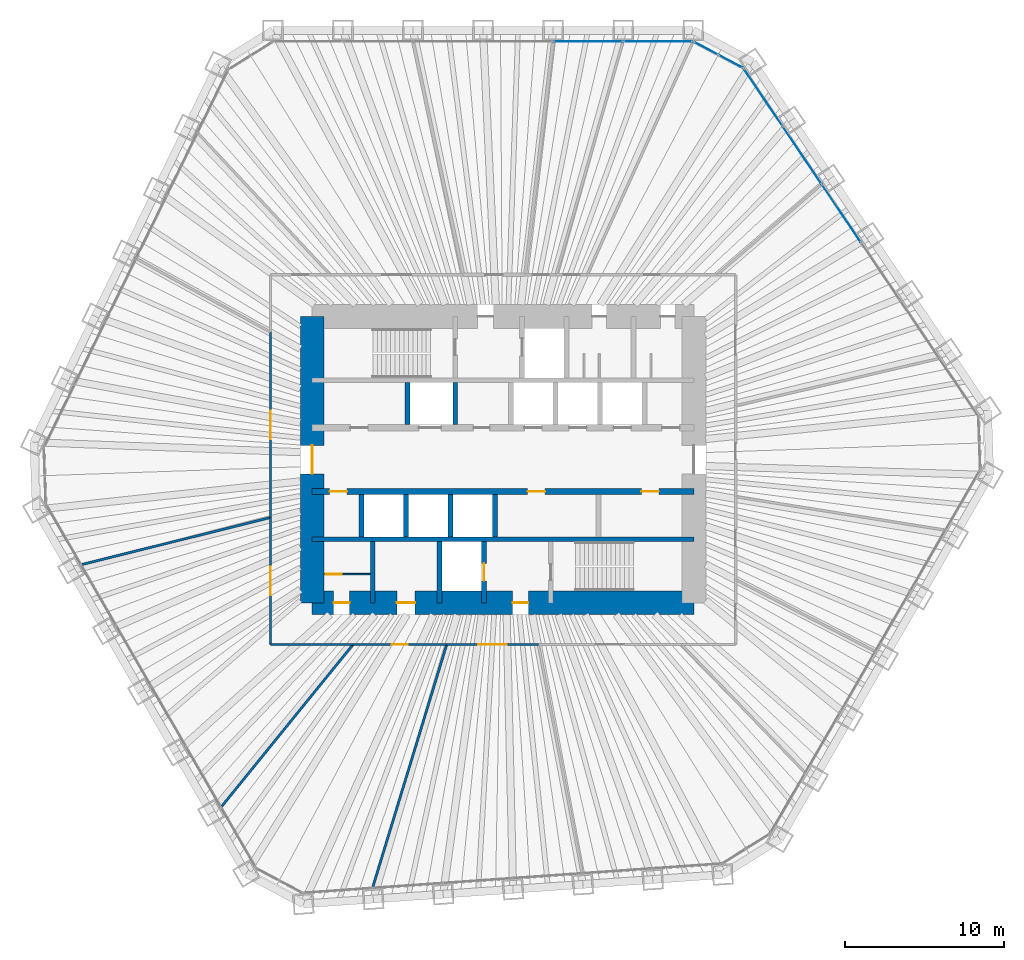
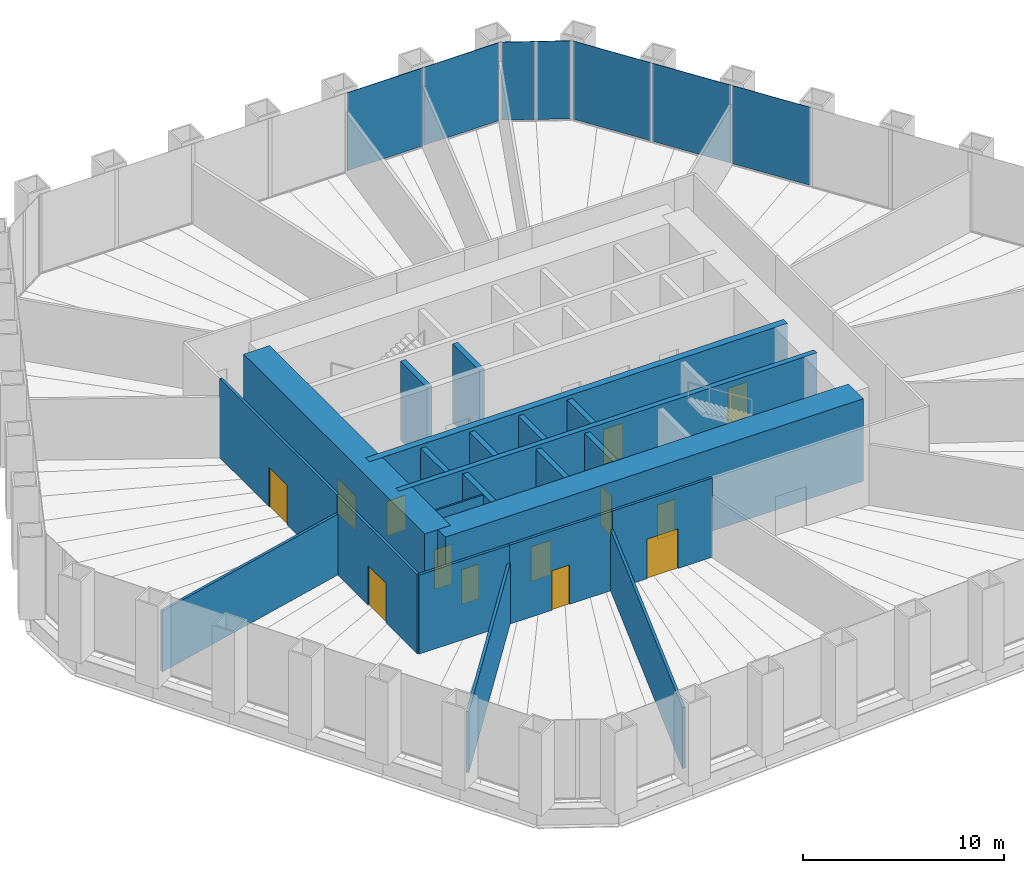
# One storey, part 10 of 13: 22 walls, 13 doors, 7 plates, 13 openings, 3 elements without a shape of their own.
"""IFC4 building model written with IfcOpenShell, lengths in metres."""

from ifc_helpers import new_model, si_unit, direction, frame, frame_2d, origin, origin_2d, place, context, subcontext, project, spatial, rectangle, extrude, material, layer, layer_set, type_object, element, fill, aggregate, save


model = new_model("IFC4")

# Units and contexts
model_context = context("Model", 3, precision=1e-05, world=origin(), true_north=direction((0.0, 1.0)))
body_context = subcontext(model_context, "Body", "Model", "MODEL_VIEW")
ifc_project = project(units=[si_unit("LENGTHUNIT", "METRE"), si_unit("AREAUNIT", "SQUARE_METRE"), si_unit("VOLUMEUNIT", "CUBIC_METRE"), si_unit("PLANEANGLEUNIT", "RADIAN"), si_unit("MASSUNIT", "GRAM", prefix="KILO")], contexts=[model_context])

# Site, building, storey
site_placement = place(None, origin())
site = spatial("IfcSite", under=ifc_project, at=site_placement, CompositionType="ELEMENT")
building_placement = place(site_placement, origin())
building = spatial("IfcBuilding", under=site, at=building_placement, Name="Qingtian Harvest Tower", CompositionType="ELEMENT")
storey_placement = place(building_placement, frame((0.0, 0.0, 72.0)))
storey = spatial("IfcBuildingStorey", under=building, at=storey_placement, Name="L14", CompositionType="ELEMENT", Elevation=72.0)

# Curtain wall, plates
ifc_material_1 = material(Name="Bronze-anodised aluminium curtain wall", Category="aluminium")
curtain_wall_type = type_object("IfcCurtainWallType", Name="Curtain wall CW2 farm reception", PredefinedType="USERDEFINED", material=ifc_material_1)
curtain_wall_1_placement = place(storey_placement, origin())
curtain_wall_1 = element("IfcCurtainWall", 1, at=curtain_wall_1_placement, inside=storey, type_object=curtain_wall_type, Name="Curtain wall CW2 L14 N0-5", ObjectType="RECESSED CURTAIN WALL", PredefinedType="USERDEFINED")
ifc_material_2 = material(Name="Bronze-tinted laminated insulating glass", Category="glass")
ifc_layer_1 = layer(ifc_material_2, 0.030029296875)
ifc_layer_set_1 = layer_set([ifc_layer_1], Name="Glazed panel CWP tinted IGU")
plate_type = type_object("IfcPlateType", Name="Glazed panel CWP tinted IGU", PredefinedType="CURTAIN_PANEL", material=ifc_layer_set_1)
plate_1_placement = place(storey_placement, frame((5.349365234375, 26.300048828125, 0.06494140625), z_axis=(0.0, 0.0, 1.0), x_axis=(1.0, 0.0, 0.0)))
plate_1 = element("IfcPlate", 2, at=plate_1_placement, type_object=plate_type, Name="CW2 panel 5.1", PredefinedType="CURTAIN_PANEL", context=body_context, shape_type="SweptSolid", body=[
    extrude(rectangle(XDim=4.339599609375, YDim=0.030029296875, at=origin_2d()), origin(), (0.0, 0.0, 1.0), 4.735107421875),
])
plate_2_placement = place(storey_placement, frame((9.737548828125, 26.300048828125, 0.06494140625), z_axis=(0.0, 0.0, 1.0), x_axis=(1.0, 0.0, 0.0)))
plate_2 = element("IfcPlate", 3, at=plate_2_placement, type_object=plate_type, Name="CW2 panel 6.1", PredefinedType="CURTAIN_PANEL", context=body_context, shape_type="SweptSolid", body=[
    extrude(rectangle(XDim=4.30712890625, YDim=0.030029296875, at=origin_2d()), origin(), (0.0, 0.0, 1.0), 4.735107421875),
])
aggregate(curtain_wall_1, [plate_1, plate_2])

curtain_wall_2_placement = place(storey_placement, origin())
curtain_wall_2 = element("IfcCurtainWall", 4, at=curtain_wall_2_placement, inside=storey, type_object=curtain_wall_type, Name="Curtain wall CW2 L14 NC", ObjectType="RECESSED CURTAIN WALL", PredefinedType="USERDEFINED")
plate_3_placement = place(storey_placement, frame((12.760986328125, 25.8720703125, 0.06494140625), z_axis=(0.0, 0.0, 1.0), x_axis=(0.882947592859, -0.469471562786, 0.0)))
plate_3 = element("IfcPlate", 5, at=plate_3_placement, type_object=plate_type, Name="CW2 panel 1.1", PredefinedType="CURTAIN_PANEL", context=body_context, shape_type="SweptSolid", body=[
    extrude(rectangle(XDim=1.69287109375, YDim=0.030029296875, at=origin_2d()), origin(), (0.0, 0.0, 1.0), 4.735107421875),
])
plate_4_placement = place(storey_placement, frame((14.31298828125, 25.046875, 0.06494140625), z_axis=(0.0, 0.0, 1.0), x_axis=(0.882947592859, -0.469471562786, 0.0)))
plate_4 = element("IfcPlate", 6, at=plate_4_placement, type_object=plate_type, Name="CW2 panel 2.1", PredefinedType="CURTAIN_PANEL", context=body_context, shape_type="SweptSolid", body=[
    extrude(rectangle(XDim=1.69287109375, YDim=0.030029296875, at=origin_2d()), origin(), (0.0, 0.0, 1.0), 4.735107421875),
])
aggregate(curtain_wall_2, [plate_3, plate_4])

curtain_wall_3_placement = place(storey_placement, origin())
curtain_wall_3 = element("IfcCurtainWall", 7, at=curtain_wall_3_placement, inside=storey, type_object=curtain_wall_type, Name="Curtain wall CW2 L14 NE0-5", ObjectType="RECESSED CURTAIN WALL", PredefinedType="USERDEFINED")
plate_5_placement = place(storey_placement, frame((16.3583984375, 22.779541015625, 0.06494140625), z_axis=(0.0, 0.0, 1.0), x_axis=(0.559192903471, -0.829037572555, 0.0)))
plate_5 = element("IfcPlate", 8, at=plate_5_placement, type_object=plate_type, Name="CW2 panel 1.1", PredefinedType="CURTAIN_PANEL", context=body_context, shape_type="SweptSolid", body=[
    extrude(rectangle(XDim=4.30712890625, YDim=0.030029296875, at=origin_2d()), origin(), (0.0, 0.0, 1.0), 4.735107421875),
])
plate_6_placement = place(storey_placement, frame((18.8125, 19.1416015625, 0.06494140625), z_axis=(0.0, 0.0, 1.0), x_axis=(0.559192903471, -0.829037572555, 0.0)))
plate_6 = element("IfcPlate", 9, at=plate_6_placement, type_object=plate_type, Name="CW2 panel 2.1", PredefinedType="CURTAIN_PANEL", context=body_context, shape_type="SweptSolid", body=[
    extrude(rectangle(XDim=4.339599609375, YDim=0.030029296875, at=origin_2d()), origin(), (0.0, 0.0, 1.0), 4.735107421875),
])
plate_7_placement = place(storey_placement, frame((21.275390625, 15.489990234375, 0.06494140625), z_axis=(0.0, 0.0, 1.0), x_axis=(0.559192903471, -0.829037572555, 0.0)))
plate_7 = element("IfcPlate", 10, at=plate_7_placement, type_object=plate_type, Name="CW2 panel 3.1", PredefinedType="CURTAIN_PANEL", context=body_context, shape_type="SweptSolid", body=[
    extrude(rectangle(XDim=4.339599609375, YDim=0.030029296875, at=origin_2d()), origin(), (0.0, 0.0, 1.0), 4.735107421875),
])
aggregate(curtain_wall_3, [plate_5, plate_6, plate_7])

# Wall
ifc_material_3 = material(Name="Concrete fc' 70 MPa", Category="concrete")
ifc_layer_2 = layer(ifc_material_3, 0.300048828125)
ifc_layer_set_2 = layer_set([ifc_layer_2], Name="Core inner wall RC5 300")
wall_type_1 = type_object("IfcWallType", Name="Core inner wall RC5 300", PredefinedType="SHEAR", material=ifc_layer_set_2)
wall_1_placement = place(storey_placement, frame((-12.0, -5.0, 0.0), z_axis=(0.0, 0.0, 1.0), x_axis=(1.0, 0.0, 0.0)))
element("IfcWall", 11, at=wall_1_placement, inside=storey, type_object=wall_type_1, Name="Core wall IS5 L14", PredefinedType="SHEAR", context=body_context, shape_type="SweptSolid", body=[
    extrude(rectangle(XDim=24.0, YDim=0.300048828125, at=frame_2d((12.0, 0.0))), origin(), (0.0, 0.0, 1.0), 5.0),
])

# Wall, openings, doors
ifc_material_4 = material(Name="Concrete fc' 70 MPa", Category="concrete")
ifc_layer_3 = layer(ifc_material_4, 0.39990234375)
ifc_layer_set_3 = layer_set([ifc_layer_3], Name="Core inner web RC6 400")
wall_type_2 = type_object("IfcWallType", Name="Core inner web RC6 400", PredefinedType="SHEAR", material=ifc_layer_set_3)
wall_2_placement = place(storey_placement, frame((-12.0, -2.0, 0.0), z_axis=(0.0, 0.0, 1.0), x_axis=(1.0, 0.0, 0.0)))
wall_2 = element("IfcWall", 12, at=wall_2_placement, inside=storey, type_object=wall_type_2, Name="Core wall IS2 L14", PredefinedType="SHEAR", context=body_context, shape_type="SweptSolid", body=[
    extrude(rectangle(XDim=24.0, YDim=0.39990234375, at=frame_2d((12.0, 0.0))), origin(), (0.0, 0.0, 1.0), 5.0),
])
opening_1_placement = place(wall_2_placement, frame((1.10009765625, 0.0, 0.0)))
opening_1 = element("IfcOpeningElement", 13, at=opening_1_placement, cuts=wall_2, Name="Opening FD4", PredefinedType="OPENING", context=body_context, shape_type="SweptSolid", body=[
    extrude(rectangle(XDim=1.10009765625, YDim=2.10009765625, at=frame_2d((0.550048828125, 1.050048828125))), frame((0.0, 0.2099609375, 0.0), z_axis=(0.0, -1.0, 0.0), x_axis=(1.0, 0.0, 0.0)), (0.0, 0.0, 1.0), 0.419921875),
])
opening_2_placement = place(wall_2_placement, frame((13.550048828125, 0.0, 0.0)))
opening_2 = element("IfcOpeningElement", 14, at=opening_2_placement, cuts=wall_2, Name="Opening FD4", PredefinedType="OPENING", context=body_context, shape_type="SweptSolid", body=[
    extrude(rectangle(XDim=1.10009765625, YDim=2.10009765625, at=frame_2d((0.550048828125, 1.050048828125))), frame((0.0, 0.2099609375, 0.0), z_axis=(0.0, -1.0, 0.0), x_axis=(1.0, 0.0, 0.0)), (0.0, 0.0, 1.0), 0.419921875),
])
opening_3_placement = place(wall_2_placement, frame((20.699951171875, 0.0, 0.0)))
opening_3 = element("IfcOpeningElement", 15, at=opening_3_placement, cuts=wall_2, Name="Opening FD4", PredefinedType="OPENING", context=body_context, shape_type="SweptSolid", body=[
    extrude(rectangle(XDim=1.10009765625, YDim=2.10009765625, at=frame_2d((0.550048828125, 1.050048828125))), frame((0.0, 0.2099609375, 0.0), z_axis=(0.0, -1.0, 0.0), x_axis=(1.0, 0.0, 0.0)), (0.0, 0.0, 1.0), 0.419921875),
])
ifc_material_5 = material(Name="Steel-faced door leaf", Category="steel")
door_type_1 = type_object("IfcDoorType", Name="Fire door FD4 single 2 HR", OperationType="SINGLE_SWING_LEFT", PredefinedType="DOOR", material=ifc_material_5)
door_1_placement = place(opening_1_placement, origin())
door_1 = element("IfcDoor", 16, at=door_1_placement, inside=storey, type_object=door_type_1, Name="RB door L14", OperationType="SINGLE_SWING_LEFT", OverallHeight=2.10009765625, OverallWidth=1.10009765625, PredefinedType="DOOR", context=body_context, shape_type="SweptSolid", body=[
    extrude(rectangle(XDim=1.10009765625, YDim=2.10009765625, at=frame_2d((0.550048828125, 1.050048828125))), frame((0.0, 0.02490234375, 0.0), z_axis=(0.0, -1.0, 0.0), x_axis=(1.0, 0.0, 0.0)), (0.0, 0.0, 1.0), 0.050048828125),
])
fill(opening_1, door_1)
door_2_placement = place(opening_2_placement, origin())
door_2 = element("IfcDoor", 17, at=door_2_placement, inside=storey, type_object=door_type_1, Name="ELEC door L14", OperationType="SINGLE_SWING_LEFT", OverallHeight=2.10009765625, OverallWidth=1.10009765625, PredefinedType="DOOR", context=body_context, shape_type="SweptSolid", body=[
    extrude(rectangle(XDim=1.10009765625, YDim=2.10009765625, at=frame_2d((0.550048828125, 1.050048828125))), frame((0.0, 0.02490234375, 0.0), z_axis=(0.0, -1.0, 0.0), x_axis=(1.0, 0.0, 0.0)), (0.0, 0.0, 1.0), 0.050048828125),
])
fill(opening_2, door_2)
door_3_placement = place(opening_3_placement, origin())
door_3 = element("IfcDoor", 18, at=door_3_placement, inside=storey, type_object=door_type_1, Name="DUCT door L14", OperationType="SINGLE_SWING_RIGHT", OverallHeight=2.10009765625, OverallWidth=1.10009765625, PredefinedType="DOOR", context=body_context, shape_type="SweptSolid", body=[
    extrude(rectangle(XDim=1.10009765625, YDim=2.10009765625, at=frame_2d((0.550048828125, 1.050048828125))), frame((0.0, 0.02490234375, 0.0), z_axis=(0.0, -1.0, 0.0), x_axis=(1.0, 0.0, 0.0)), (0.0, 0.0, 1.0), 0.050048828125),
])
fill(opening_3, door_3)

# Walls
ifc_material_6 = material(Name="Precast concrete shaft panel", Category="concrete")
ifc_layer_4 = layer(ifc_material_6, 0.300048828125)
ifc_layer_set_4 = layer_set([ifc_layer_4], Name="Core shaft partition SW1 300")
wall_type_3 = type_object("IfcWallType", Name="Core shaft partition SW1 300", PredefinedType="PARTITIONING", material=ifc_layer_set_4)
for number, where, z_axis, x_axis, name in (
    (19, (-6.0, 2.199951171875, 0.0), (0.0, 0.0, 1.0), (0.0, 1.0, 0.0), "Core shaft partition XA1 L14"),
    (20, (-3.0, 2.199951171875, 0.0), (0.0, 0.0, 1.0), (0.0, 1.0, 0.0), "Core shaft partition XA2 L14"),
    (21, (-8.89990234375, -4.85009765625, 0.0), (0.0, 0.0, 1.0), (0.0, 1.0, 0.0), "Core shaft partition XB1 L14"),
    (22, (-6.10009765625, -4.85009765625, 0.0), (0.0, 0.0, 1.0), (0.0, 1.0, 0.0), "Core shaft partition XB2 L14"),
    (23, (-3.300048828125, -4.85009765625, 0.0), (0.0, 0.0, 1.0), (0.0, 1.0, 0.0), "Core shaft partition XB3 L14"),
    (24, (-0.5, -4.85009765625, 0.0), (0.0, 0.0, 1.0), (0.0, 1.0, 0.0), "Core shaft partition XB4 L14"),
):
    element("IfcWall", number, at=place(storey_placement, frame(where, z_axis=z_axis, x_axis=x_axis)), inside=storey, type_object=wall_type_3, Name=name, PredefinedType="PARTITIONING", context=body_context, shape_type="SweptSolid", body=[
        extrude(rectangle(XDim=2.650146484375, YDim=0.300048828125, at=frame_2d((1.3251953125, 0.0))), origin(), (0.0, 0.0, 1.0), 4.780029296875),
    ])
for number, where, z_axis, x_axis, name in (
    (25, (-8.199951171875, -9.0, 0.0), (0.0, 0.0, 1.0), (0.0, 1.0, 0.0), "Core shaft partition XS1 L14"),
    (26, (-4.0, -9.0, 0.0), (0.0, 0.0, 1.0), (0.0, 1.0, 0.0), "Core shaft partition XS2 L14"),
):
    element("IfcWall", number, at=place(storey_placement, frame(where, z_axis=z_axis, x_axis=x_axis)), inside=storey, type_object=wall_type_3, Name=name, PredefinedType="PARTITIONING", context=body_context, shape_type="SweptSolid", body=[
        extrude(rectangle(XDim=3.85009765625, YDim=0.300048828125, at=frame_2d((1.925048828125, 0.0))), origin(), (0.0, 0.0, 1.0), 4.780029296875),
    ])

# Wall, opening, door
wall_3_placement = place(storey_placement, frame((-1.199951171875, -9.0, 0.0), z_axis=(0.0, 0.0, 1.0), x_axis=(0.0, 1.0, 0.0)))
wall_3 = element("IfcWall", 27, at=wall_3_placement, inside=storey, type_object=wall_type_3, Name="Core shaft partition XS3 L14", PredefinedType="PARTITIONING", context=body_context, shape_type="SweptSolid", body=[
    extrude(rectangle(XDim=3.85009765625, YDim=0.300048828125, at=frame_2d((1.925048828125, 0.0))), origin(), (0.0, 0.0, 1.0), 4.780029296875),
])
opening_4_placement = place(wall_3_placement, frame((1.375, 0.0, 0.0)))
opening_4 = element("IfcOpeningElement", 28, at=opening_4_placement, cuts=wall_3, Name="Opening LD1", PredefinedType="OPENING", context=body_context, shape_type="SweptSolid", body=[
    extrude(rectangle(XDim=1.10009765625, YDim=2.39990234375, at=frame_2d((0.550048828125, 1.199951171875))), frame((0.0, 0.159912109375, 0.0), z_axis=(0.0, -1.0, 0.0), x_axis=(1.0, 0.0, 0.0)), (0.0, 0.0, 1.0), 0.320068359375),
])
ifc_material_7 = material(Name="Stainless steel lift landing door", Category="steel")
door_type_2 = type_object("IfcDoorType", Name="Lift landing door LD1 1 HR", OperationType="DOUBLE_DOOR_SLIDING", PredefinedType="DOOR", material=ifc_material_7)
door_4_placement = place(opening_4_placement, origin())
door_4 = element("IfcDoor", 29, at=door_4_placement, inside=storey, type_object=door_type_2, Name="FL2 landing door L14", OperationType="DOUBLE_DOOR_SLIDING", OverallHeight=2.39990234375, OverallWidth=1.10009765625, PredefinedType="DOOR", context=body_context, shape_type="SweptSolid", body=[
    extrude(rectangle(XDim=1.10009765625, YDim=2.39990234375, at=frame_2d((0.550048828125, 1.199951171875))), frame((0.0, 0.02490234375, 0.0), z_axis=(0.0, -1.0, 0.0), x_axis=(1.0, 0.0, 0.0)), (0.0, 0.0, 1.0), 0.050048828125),
])
fill(opening_4, door_4)

# Wall, openings, doors
ifc_material_8 = material(Name="Concrete fc' 70 MPa", Category="concrete")
ifc_layer_5 = layer(ifc_material_8, 1.5)
ifc_layer_set_5 = layer_set([ifc_layer_5], Name="Core wall RC1 1500")
wall_type_4 = type_object("IfcWallType", Name="Core wall RC1 1500", PredefinedType="SHEAR", material=ifc_layer_set_5)
wall_4_placement = place(storey_placement, frame((-12.0, -9.0, 0.0), z_axis=(0.0, 0.0, 1.0), x_axis=(1.0, 0.0, 0.0)))
wall_4 = element("IfcWall", 30, at=wall_4_placement, inside=storey, type_object=wall_type_4, Name="Core wall CS L14", PredefinedType="SHEAR", context=body_context, shape_type="SweptSolid", body=[
    extrude(rectangle(XDim=24.0, YDim=1.5, at=frame_2d((12.0, 0.0))), origin(), (0.0, 0.0, 1.0), 5.0),
])
opening_5_placement = place(wall_4_placement, frame((1.35009765625, 0.0, 0.0)))
opening_5 = element("IfcOpeningElement", 31, at=opening_5_placement, cuts=wall_4, Name="Opening FD1", PredefinedType="OPENING", context=body_context, shape_type="SweptSolid", body=[
    extrude(rectangle(XDim=1.0, YDim=2.10009765625, at=frame_2d((0.5, 1.050048828125))), frame((0.0, 0.760009765625, 0.0), z_axis=(0.0, -1.0, 0.0), x_axis=(1.0, 0.0, 0.0)), (0.0, 0.0, 1.0), 1.52001953125),
])
opening_6_placement = place(wall_4_placement, frame((5.324951171875, 0.0, 0.0)))
opening_6 = element("IfcOpeningElement", 32, at=opening_6_placement, cuts=wall_4, Name="Opening AD1", PredefinedType="OPENING", context=body_context, shape_type="SweptSolid", body=[
    extrude(rectangle(XDim=1.14990234375, YDim=2.10009765625, at=frame_2d((0.574951171875, 1.050048828125))), frame((0.0, 0.760009765625, 0.0), z_axis=(0.0, -1.0, 0.0), x_axis=(1.0, 0.0, 0.0)), (0.0, 0.0, 1.0), 1.52001953125),
])
opening_7_placement = place(wall_4_placement, frame((12.60009765625, 0.0, 0.0)))
opening_7 = element("IfcOpeningElement", 33, at=opening_7_placement, cuts=wall_4, Name="Opening FD1", PredefinedType="OPENING", context=body_context, shape_type="SweptSolid", body=[
    extrude(rectangle(XDim=1.0, YDim=2.10009765625, at=frame_2d((0.5, 1.050048828125))), frame((0.0, 0.760009765625, 0.0), z_axis=(0.0, -1.0, 0.0), x_axis=(1.0, 0.0, 0.0)), (0.0, 0.0, 1.0), 1.52001953125),
])
ifc_material_9 = material(Name="Laminated timber door leaf", Category="wood")
door_type_3 = type_object("IfcDoorType", Name="Accessible WC door AD1 single", OperationType="SINGLE_SWING_LEFT", PredefinedType="DOOR", material=ifc_material_9)
door_5_placement = place(opening_6_placement, origin())
door_5 = element("IfcDoor", 34, at=door_5_placement, inside=storey, type_object=door_type_3, Name="AWC door L14", OperationType="SINGLE_SWING_RIGHT", OverallHeight=2.10009765625, OverallWidth=1.14990234375, PredefinedType="DOOR", context=body_context, shape_type="SweptSolid", body=[
    extrude(rectangle(XDim=1.14990234375, YDim=2.10009765625, at=frame_2d((0.574951171875, 1.050048828125))), frame((0.0, 0.02490234375, 0.0), z_axis=(0.0, -1.0, 0.0), x_axis=(1.0, 0.0, 0.0)), (0.0, 0.0, 1.0), 0.050048828125),
])
fill(opening_6, door_5)
ifc_material_10 = material(Name="Steel-faced door leaf", Category="steel")
door_type_4 = type_object("IfcDoorType", Name="Fire door FD1 single 1 HR", OperationType="SINGLE_SWING_LEFT", PredefinedType="DOOR", material=ifc_material_10)
door_6_placement = place(opening_5_placement, origin())
door_6 = element("IfcDoor", 35, at=door_6_placement, inside=storey, type_object=door_type_4, Name="CLN door L14", OperationType="SINGLE_SWING_LEFT", OverallHeight=2.10009765625, OverallWidth=1.0, PredefinedType="DOOR", context=body_context, shape_type="SweptSolid", body=[
    extrude(rectangle(XDim=1.0, YDim=2.10009765625, at=frame_2d((0.5, 1.050048828125))), frame((0.0, 0.02490234375, 0.0), z_axis=(0.0, -1.0, 0.0), x_axis=(1.0, 0.0, 0.0)), (0.0, 0.0, 1.0), 0.050048828125),
])
fill(opening_5, door_6)
door_7_placement = place(opening_7_placement, origin())
door_7 = element("IfcDoor", 36, at=door_7_placement, inside=storey, type_object=door_type_4, Name="V2 door L14", OperationType="SINGLE_SWING_RIGHT", OverallHeight=2.10009765625, OverallWidth=1.0, PredefinedType="DOOR", context=body_context, shape_type="SweptSolid", body=[
    extrude(rectangle(XDim=1.0, YDim=2.10009765625, at=frame_2d((0.5, 1.050048828125))), frame((0.0, 0.02490234375, 0.0), z_axis=(0.0, -1.0, 0.0), x_axis=(1.0, 0.0, 0.0)), (0.0, 0.0, 1.0), 0.050048828125),
])
fill(opening_7, door_7)

# Wall, opening, door
wall_5_placement = place(storey_placement, frame((-12.0, -9.0, 0.0), z_axis=(0.0, 0.0, 1.0), x_axis=(0.0, 1.0, 0.0)))
wall_5 = element("IfcWall", 37, at=wall_5_placement, inside=storey, type_object=wall_type_4, Name="Core wall CW L14", PredefinedType="SHEAR", context=body_context, shape_type="SweptSolid", body=[
    extrude(rectangle(XDim=18.0, YDim=1.5, at=frame_2d((9.0, 0.0))), origin(), (0.0, 0.0, 1.0), 5.0),
])
opening_8_placement = place(wall_5_placement, frame((8.10009765625, 0.0, 0.0)))
opening_8 = element("IfcOpeningElement", 38, at=opening_8_placement, cuts=wall_5, Name="Opening FD2", PredefinedType="OPENING", context=body_context, shape_type="SweptSolid", body=[
    extrude(rectangle(XDim=1.800048828125, YDim=2.10009765625, at=frame_2d((0.89990234375, 1.050048828125))), frame((0.0, 0.760009765625, 0.0), z_axis=(0.0, -1.0, 0.0), x_axis=(1.0, 0.0, 0.0)), (0.0, 0.0, 1.0), 1.52001953125),
])
ifc_material_11 = material(Name="Steel-faced door leaf", Category="steel")
door_type_5 = type_object("IfcDoorType", Name="Fire door FD2 double 1 HR", OperationType="DOUBLE_DOOR_DOUBLE_SWING", PredefinedType="DOOR", material=ifc_material_11)
door_8_placement = place(opening_8_placement, origin())
door_8 = element("IfcDoor", 39, at=door_8_placement, inside=storey, type_object=door_type_5, Name="LOBBY-W door L14", OperationType="DOUBLE_DOOR_DOUBLE_SWING", OverallHeight=2.10009765625, OverallWidth=1.800048828125, PredefinedType="DOOR", context=body_context, shape_type="SweptSolid", body=[
    extrude(rectangle(XDim=1.800048828125, YDim=2.10009765625, at=frame_2d((0.89990234375, 1.050048828125))), frame((0.0, 0.02490234375, 0.0), z_axis=(0.0, -1.0, 0.0), x_axis=(1.0, 0.0, 0.0)), (0.0, 0.0, 1.0), 0.050048828125),
])
fill(opening_8, door_8)

ifc_material_12 = material(Name="Gypsum board on steel studs", Category="steel")
ifc_layer_6 = layer(ifc_material_12, 0.14990234375)
ifc_layer_set_6 = layer_set([ifc_layer_6], Name="Partition PT1 150")
wall_type_5 = type_object("IfcWallType", Name="Partition PT1 150", PredefinedType="PARTITIONING", material=ifc_layer_set_6)
wall_6_placement = place(storey_placement, frame((2.222412109375, -11.625, 0.0), z_axis=(0.0, 0.0, 1.0), x_axis=(-1.0, 0.0, 0.0)))
wall_6 = element("IfcWall", 40, at=wall_6_placement, inside=storey, type_object=wall_type_5, Name="Strawberry growing room wall L14", PredefinedType="PARTITIONING", context=body_context, shape_type="SweptSolid", body=[
    extrude(rectangle(XDim=5.764404296875, YDim=0.14990234375, at=frame_2d((2.88232421875, 0.0))), origin(), (0.0, 0.0, 1.0), 4.800048828125),
])
opening_9_placement = place(wall_6_placement, frame((1.982177734375, 0.0, 0.0)))
opening_9 = element("IfcOpeningElement", 41, at=opening_9_placement, cuts=wall_6, Name="Opening D3", PredefinedType="OPENING", context=body_context, shape_type="SweptSolid", body=[
    extrude(rectangle(XDim=1.800048828125, YDim=2.39990234375, at=frame_2d((0.89990234375, 1.199951171875))), frame((0.0, 0.0849609375, 0.0), z_axis=(0.0, -1.0, 0.0), x_axis=(1.0, 0.0, 0.0)), (0.0, 0.0, 1.0), 0.169921875),
])
ifc_material_13 = material(Name="Laminated timber door leaf", Category="wood")
door_type_6 = type_object("IfcDoorType", Name="Room door D3 double", OperationType="DOUBLE_DOOR_DOUBLE_SWING", PredefinedType="DOOR", material=ifc_material_13)
door_9_placement = place(opening_9_placement, origin())
door_9 = element("IfcDoor", 42, at=door_9_placement, inside=storey, type_object=door_type_6, Name="Strawberry growing room door L14", OperationType="DOUBLE_DOOR_DOUBLE_SWING", OverallHeight=2.39990234375, OverallWidth=1.800048828125, PredefinedType="DOOR", context=body_context, shape_type="SweptSolid", body=[
    extrude(rectangle(XDim=1.800048828125, YDim=2.39990234375, at=frame_2d((0.89990234375, 1.199951171875))), frame((0.0, 0.02490234375, 0.0), z_axis=(0.0, -1.0, 0.0), x_axis=(1.0, 0.0, 0.0)), (0.0, 0.0, 1.0), 0.050048828125),
])
fill(opening_9, door_9)

# Wall
wall_7_placement = place(storey_placement, frame((-8.1787109375, -26.842529296875, 0.0), z_axis=(0.0, 0.0, 1.0), x_axis=(0.291466333136, 0.956581087336, 0.0)))
element("IfcWall", 43, at=wall_7_placement, inside=storey, type_object=wall_type_5, Name="Pollination room wall L14", PredefinedType="PARTITIONING", context=body_context, shape_type="SweptSolid", body=[
    extrude(rectangle(XDim=15.908203125, YDim=0.14990234375, at=frame_2d((7.9541015625, 0.0))), origin(), (0.0, 0.0, 1.0), 3.699951171875),
])

# Wall, opening, door
wall_8_placement = place(storey_placement, frame((-3.5419921875, -11.625, 0.0), z_axis=(0.0, 0.0, 1.0), x_axis=(-1.0, 0.0, 0.0)))
wall_8 = element("IfcWall", 44, at=wall_8_placement, inside=storey, type_object=wall_type_5, Name="Pollination room wall L14", PredefinedType="PARTITIONING", context=body_context, shape_type="SweptSolid", body=[
    extrude(rectangle(XDim=5.89013671875, YDim=0.14990234375, at=frame_2d((2.945068359375, 0.0))), origin(), (0.0, 0.0, 1.0), 4.800048828125),
])
opening_10_placement = place(wall_8_placement, frame((2.445068359375, 0.0, 0.0)))
opening_10 = element("IfcOpeningElement", 45, at=opening_10_placement, cuts=wall_8, Name="Opening D2", PredefinedType="OPENING", context=body_context, shape_type="SweptSolid", body=[
    extrude(rectangle(XDim=1.0, YDim=2.39990234375, at=frame_2d((0.5, 1.199951171875))), frame((0.0, 0.0849609375, 0.0), z_axis=(0.0, -1.0, 0.0), x_axis=(1.0, 0.0, 0.0)), (0.0, 0.0, 1.0), 0.169921875),
])
ifc_material_14 = material(Name="Laminated timber door leaf", Category="wood")
door_type_7 = type_object("IfcDoorType", Name="Room door D2 single", OperationType="SINGLE_SWING_LEFT", PredefinedType="DOOR", material=ifc_material_14)
door_10_placement = place(opening_10_placement, origin())
door_10 = element("IfcDoor", 46, at=door_10_placement, inside=storey, type_object=door_type_7, Name="Pollination room door L14", OperationType="SINGLE_SWING_LEFT", OverallHeight=2.39990234375, OverallWidth=1.0, PredefinedType="DOOR", context=body_context, shape_type="SweptSolid", body=[
    extrude(rectangle(XDim=1.0, YDim=2.39990234375, at=frame_2d((0.5, 1.199951171875))), frame((0.0, 0.02490234375, 0.0), z_axis=(0.0, -1.0, 0.0), x_axis=(1.0, 0.0, 0.0)), (0.0, 0.0, 1.0), 0.050048828125),
])
fill(opening_10, door_10)

# Walls
wall_9_placement = place(storey_placement, frame((-17.679931640625, -21.79052734375, 0.0), z_axis=(0.0, 0.0, 1.0), x_axis=(0.630054650118, 0.776550795418, 0.0)))
element("IfcWall", 47, at=wall_9_placement, inside=storey, type_object=wall_type_5, Name="Tomato growing room wall L14", PredefinedType="PARTITIONING", context=body_context, shape_type="SweptSolid", body=[
    extrude(rectangle(XDim=13.090576171875, YDim=0.14990234375, at=frame_2d((6.54541015625, 0.0))), origin(), (0.0, 0.0, 1.0), 3.699951171875),
])
wall_10_placement = place(storey_placement, frame((-9.43212890625, -11.625, 0.0), z_axis=(0.0, 0.0, 1.0), x_axis=(-1.0, 0.0, 0.0)))
element("IfcWall", 48, at=wall_10_placement, inside=storey, type_object=wall_type_5, Name="Tomato growing room wall L14", PredefinedType="PARTITIONING", context=body_context, shape_type="SweptSolid", body=[
    extrude(rectangle(XDim=5.19287109375, YDim=0.14990234375, at=frame_2d((2.596435546875, 0.0))), origin(), (0.0, 0.0, 1.0), 4.800048828125),
])

# Wall, opening, door
wall_11_placement = place(storey_placement, frame((-14.625, -11.625, 0.0), z_axis=(0.0, 0.0, 1.0), x_axis=(0.0, 1.0, 0.0)))
wall_11 = element("IfcWall", 49, at=wall_11_placement, inside=storey, type_object=wall_type_5, Name="Tomato growing room wall L14", PredefinedType="PARTITIONING", context=body_context, shape_type="SweptSolid", body=[
    extrude(rectangle(XDim=7.984130859375, YDim=0.14990234375, at=frame_2d((3.9921875, 0.0))), origin(), (0.0, 0.0, 1.0), 4.800048828125),
])
opening_11_placement = place(wall_11_placement, frame((3.092041015625, 0.0, 0.0)))
opening_11 = element("IfcOpeningElement", 50, at=opening_11_placement, cuts=wall_11, Name="Opening D3", PredefinedType="OPENING", context=body_context, shape_type="SweptSolid", body=[
    extrude(rectangle(XDim=1.800048828125, YDim=2.39990234375, at=frame_2d((0.89990234375, 1.199951171875))), frame((0.0, 0.0849609375, 0.0), z_axis=(0.0, -1.0, 0.0), x_axis=(1.0, 0.0, 0.0)), (0.0, 0.0, 1.0), 0.169921875),
])
door_11_placement = place(opening_11_placement, origin())
door_11 = element("IfcDoor", 51, at=door_11_placement, inside=storey, type_object=door_type_6, Name="Tomato growing room door L14", OperationType="DOUBLE_DOOR_DOUBLE_SWING", OverallHeight=2.39990234375, OverallWidth=1.800048828125, PredefinedType="DOOR", context=body_context, shape_type="SweptSolid", body=[
    extrude(rectangle(XDim=1.800048828125, YDim=2.39990234375, at=frame_2d((0.89990234375, 1.199951171875))), frame((0.0, 0.02490234375, 0.0), z_axis=(0.0, -1.0, 0.0), x_axis=(1.0, 0.0, 0.0)), (0.0, 0.0, 1.0), 0.050048828125),
])
fill(opening_11, door_11)

# Wall
wall_12_placement = place(storey_placement, frame((-26.455322265625, -6.5859375, 0.0), z_axis=(0.0, 0.0, 1.0), x_axis=(0.970383505188, 0.241569561118, 0.0)))
element("IfcWall", 52, at=wall_12_placement, inside=storey, type_object=wall_type_5, Name="Strawberry growing room wall L14", PredefinedType="PARTITIONING", context=body_context, shape_type="SweptSolid", body=[
    extrude(rectangle(XDim=12.19140625, YDim=0.14990234375, at=frame_2d((6.095703125, 0.0))), origin(), (0.0, 0.0, 1.0), 3.699951171875),
])

# Wall, opening, door
wall_13_placement = place(storey_placement, frame((-14.625, -3.640869140625, 0.0), z_axis=(0.0, 0.0, 1.0), x_axis=(0.0, 1.0, 0.0)))
wall_13 = element("IfcWall", 53, at=wall_13_placement, inside=storey, type_object=wall_type_5, Name="Strawberry growing room wall L14", PredefinedType="PARTITIONING", context=body_context, shape_type="SweptSolid", body=[
    extrude(rectangle(XDim=11.660400390625, YDim=0.14990234375, at=frame_2d((5.830078125, 0.0))), origin(), (0.0, 0.0, 1.0), 4.800048828125),
])
opening_12_placement = place(wall_13_placement, frame((4.93017578125, 0.0, 0.0)))
opening_12 = element("IfcOpeningElement", 54, at=opening_12_placement, cuts=wall_13, Name="Opening D3", PredefinedType="OPENING", context=body_context, shape_type="SweptSolid", body=[
    extrude(rectangle(XDim=1.800048828125, YDim=2.39990234375, at=frame_2d((0.89990234375, 1.199951171875))), frame((0.0, 0.0849609375, 0.0), z_axis=(0.0, -1.0, 0.0), x_axis=(1.0, 0.0, 0.0)), (0.0, 0.0, 1.0), 0.169921875),
])
door_12_placement = place(opening_12_placement, origin())
door_12 = element("IfcDoor", 55, at=door_12_placement, inside=storey, type_object=door_type_6, Name="Strawberry growing room door L14", OperationType="DOUBLE_DOOR_DOUBLE_SWING", OverallHeight=2.39990234375, OverallWidth=1.800048828125, PredefinedType="DOOR", context=body_context, shape_type="SweptSolid", body=[
    extrude(rectangle(XDim=1.800048828125, YDim=2.39990234375, at=frame_2d((0.89990234375, 1.199951171875))), frame((0.0, 0.02490234375, 0.0), z_axis=(0.0, -1.0, 0.0), x_axis=(1.0, 0.0, 0.0)), (0.0, 0.0, 1.0), 0.050048828125),
])
fill(opening_12, door_12)

ifc_material_15 = material(Name="Concrete block partition", Category="concrete")
ifc_layer_7 = layer(ifc_material_15, 0.10009765625)
ifc_layer_set_7 = layer_set([ifc_layer_7], Name="Store partition PT3 100")
wall_type_6 = type_object("IfcWallType", Name="Store partition PT3 100", PredefinedType="PARTITIONING", material=ifc_layer_set_7)
wall_14_placement = place(storey_placement, frame((-11.25, -7.199951171875, 0.0), z_axis=(0.0, 0.0, 1.0), x_axis=(1.0, 0.0, 0.0)))
wall_14 = element("IfcWall", 56, at=wall_14_placement, inside=storey, type_object=wall_type_6, Name="Chemical store wall L14", PredefinedType="PARTITIONING", context=body_context, shape_type="SweptSolid", body=[
    extrude(rectangle(XDim=2.89990234375, YDim=0.10009765625, at=frame_2d((1.449951171875, 0.0))), origin(), (0.0, 0.0, 1.0), 4.780029296875),
])
opening_13_placement = place(wall_14_placement, frame((0.10009765625, 0.0, 0.0)))
opening_13 = element("IfcOpeningElement", 57, at=opening_13_placement, cuts=wall_14, Name="Opening D2", PredefinedType="OPENING", context=body_context, shape_type="SweptSolid", body=[
    extrude(rectangle(XDim=1.0, YDim=2.39990234375, at=frame_2d((0.5, 1.199951171875))), frame((0.0, 0.06005859375, 0.0), z_axis=(0.0, -1.0, 0.0), x_axis=(1.0, 0.0, 0.0)), (0.0, 0.0, 1.0), 0.1201171875),
])
door_13_placement = place(opening_13_placement, origin())
door_13 = element("IfcDoor", 58, at=door_13_placement, inside=storey, type_object=door_type_7, Name="Chemical store door L14", OperationType="SINGLE_SWING_LEFT", OverallHeight=2.39990234375, OverallWidth=1.0, PredefinedType="DOOR", context=body_context, shape_type="SweptSolid", body=[
    extrude(rectangle(XDim=1.0, YDim=2.39990234375, at=frame_2d((0.5, 1.199951171875))), frame((0.0, 0.02490234375, 0.0), z_axis=(0.0, -1.0, 0.0), x_axis=(1.0, 0.0, 0.0)), (0.0, 0.0, 1.0), 0.050048828125),
])
fill(opening_13, door_13)

save(model, "model.ifc")
